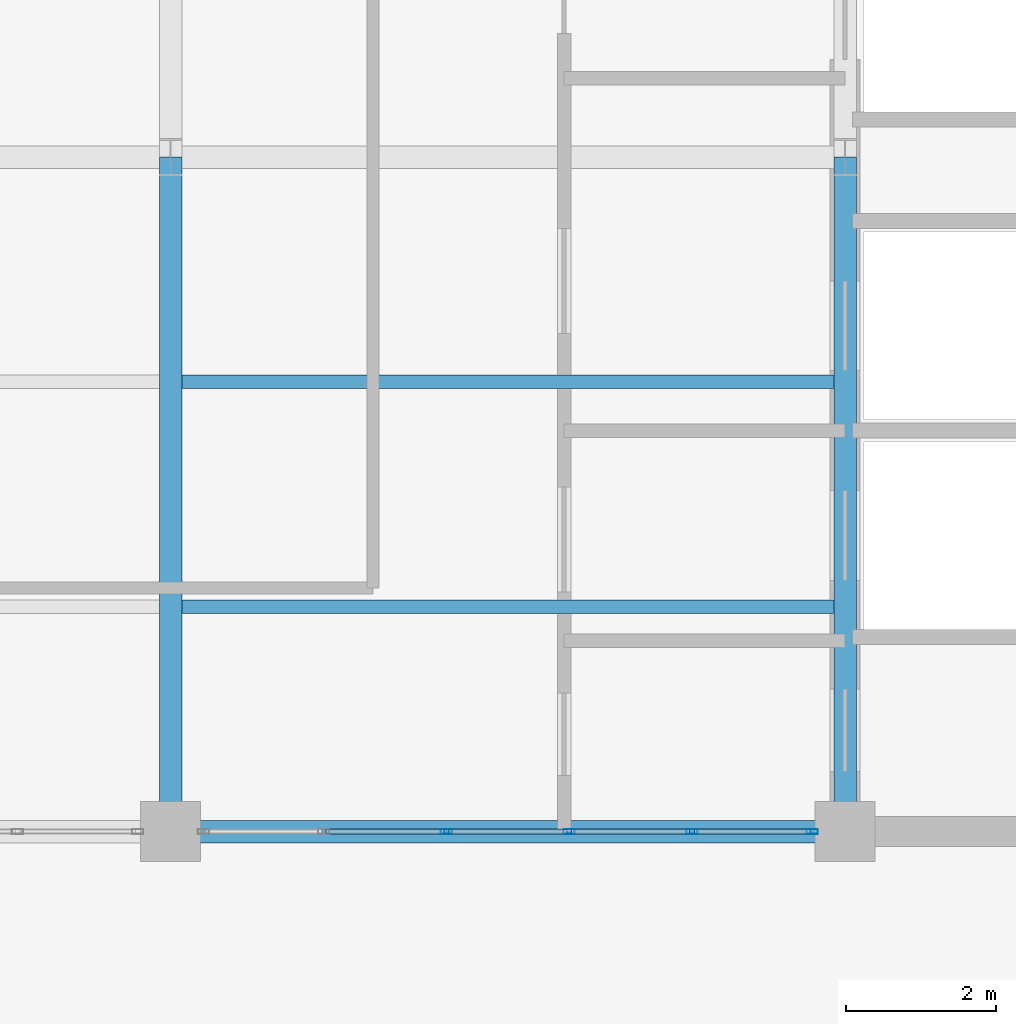
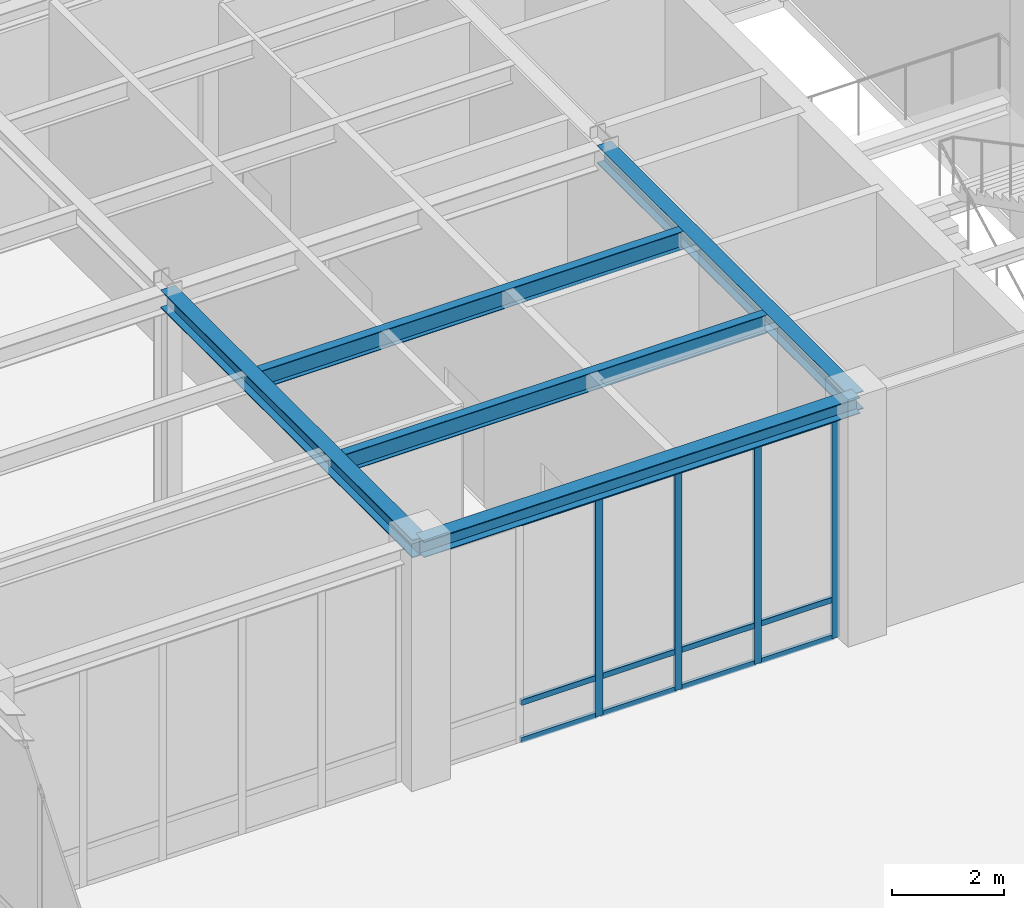
# One storey, part 50 of 77: 16 members, 5 beams, 1 element without a shape of its own.
"""IFC4 building model written with IfcOpenShell, lengths in metres."""

from ifc_helpers import new_model, si_unit, direction, frame, origin, origin_2d, place, context, subcontext, project, spatial, hollow_rectangle, i_section, extrude, material, material_profile, profile_set, type_object, element, aggregate, save


model = new_model("IFC4")

# Units and contexts
model_context = context("Model", 3, precision=1e-05, world=origin(), true_north=direction((0.0, 1.0)))
body_context = subcontext(model_context, "Body", "Model", "MODEL_VIEW")
ifc_project = project(units=[si_unit("LENGTHUNIT", "METRE"), si_unit("AREAUNIT", "SQUARE_METRE"), si_unit("VOLUMEUNIT", "CUBIC_METRE"), si_unit("PLANEANGLEUNIT", "RADIAN"), si_unit("MASSUNIT", "GRAM", prefix="KILO")], contexts=[model_context])

# Site, building, storey
site_placement = place(None, origin())
site = spatial("IfcSite", under=ifc_project, at=site_placement, CompositionType="ELEMENT")
building_placement = place(site_placement, origin())
building = spatial("IfcBuilding", under=site, at=building_placement, Name="Lykobir Media Centre", CompositionType="ELEMENT")
storey_placement = place(building_placement, origin())
storey = spatial("IfcBuildingStorey", under=building, at=storey_placement, Name="L00", CompositionType="ELEMENT", Elevation=0.0)

# Beams
ifc_material_1 = material(Name="Steel S355", Category="steel")
ifc_material_profile_1 = material_profile(ifc_material_1, i_section(OverallWidth=0.300048828125, OverallDepth=0.389892578125, WebThickness=0.010986328125, FlangeThickness=0.01904296875, at=origin_2d()), Name="HEA 400")
ifc_profile_set_1 = profile_set([ifc_material_profile_1], Name="Steel S355")
beam_type_1 = type_object("IfcBeamType", Name="BM-HEA400", PredefinedType="BEAM", material=ifc_profile_set_1)
for number, where, z_axis, x_axis, name in (
    (1, (117.0, 72.0, 4.965087890625), (0.0, 1.0, 0.0), (-1.0, 0.0, 0.0), "Beam BM-L00-1170-0720-1170-0810-496"),
    (2, (126.0, 72.0, 4.965087890625), (0.0, 1.0, 0.0), (-1.0, 0.0, 0.0), "Beam BM-L00-1260-0720-1260-0810-496"),
):
    element("IfcBeam", number, at=place(storey_placement, frame(where, z_axis=z_axis, x_axis=x_axis)), inside=storey, type_object=beam_type_1, Name=name, PredefinedType="BEAM", context=body_context, shape_type="SweptSolid", body=[
        extrude(i_section(OverallWidth=0.300048828125, OverallDepth=0.389892578125, WebThickness=0.010986328125, FlangeThickness=0.01904296875, at=origin_2d()), origin(), (0.0, 0.0, 1.0), 9.0),
    ])

# Curtain wall, members
ifc_material_2 = material(Name="Anodized Aluminium AW-6060", Category="aluminium")
curtain_wall_type = type_object("IfcCurtainWallType", Name="CW-COURT-A", PredefinedType="NOTDEFINED", material=ifc_material_2)
curtain_wall_placement = place(storey_placement, origin())
curtain_wall = element("IfcCurtainWall", 3, at=curtain_wall_placement, inside=storey, type_object=curtain_wall_type, Name="Curtain wall CW2-L00-0009", PredefinedType="NOTDEFINED")
ifc_material_profile_2 = material_profile(ifc_material_2, hollow_rectangle(XDim=0.06494140625, YDim=0.14990234375, WallThickness=0.00341796875, at=origin_2d()), Name="ALU MULLION 65x150")
ifc_profile_set_2 = profile_set([ifc_material_profile_2], Name="Anodized Aluminium AW-6060")
member_type_1 = type_object("IfcMemberType", Name="CWM-150", PredefinedType="MULLION", material=ifc_profile_set_2)
member_1_placement = place(storey_placement, frame((125.5625, 72.0, 0.0), z_axis=(0.0, 0.0, 1.0), x_axis=(0.0, -1.0, 0.0)))
member_1 = element("IfcMember", 4, at=member_1_placement, type_object=member_type_1, Name="CW2-L00-0009 mullion 1", PredefinedType="MULLION", context=body_context, shape_type="SweptSolid", body=[
    extrude(hollow_rectangle(XDim=0.06494140625, YDim=0.14990234375, WallThickness=0.00341796875, at=origin_2d()), origin(), (0.0, 0.0, 1.0), 4.794921875),
])
member_2_placement = place(storey_placement, frame((123.95703125, 72.0, 0.0), z_axis=(0.0, 0.0, 1.0), x_axis=(0.0, -1.0, 0.0)))
member_2 = element("IfcMember", 5, at=member_2_placement, type_object=member_type_1, Name="CW2-L00-0009 mullion 2", PredefinedType="MULLION", context=body_context, shape_type="SweptSolid", body=[
    extrude(hollow_rectangle(XDim=0.06494140625, YDim=0.14990234375, WallThickness=0.00341796875, at=origin_2d()), origin(), (0.0, 0.0, 1.0), 4.794921875),
])
member_3_placement = place(storey_placement, frame((122.319091796875, 72.0, 0.0), z_axis=(0.0, 0.0, 1.0), x_axis=(0.0, -1.0, 0.0)))
member_3 = element("IfcMember", 6, at=member_3_placement, type_object=member_type_1, Name="CW2-L00-0009 mullion 3", PredefinedType="MULLION", context=body_context, shape_type="SweptSolid", body=[
    extrude(hollow_rectangle(XDim=0.06494140625, YDim=0.14990234375, WallThickness=0.00341796875, at=origin_2d()), origin(), (0.0, 0.0, 1.0), 4.794921875),
])
member_4_placement = place(storey_placement, frame((120.680908203125, 72.0, 0.0), z_axis=(0.0, 0.0, 1.0), x_axis=(0.0, -1.0, 0.0)))
member_4 = element("IfcMember", 7, at=member_4_placement, type_object=member_type_1, Name="CW2-L00-0009 mullion 4", PredefinedType="MULLION", context=body_context, shape_type="SweptSolid", body=[
    extrude(hollow_rectangle(XDim=0.06494140625, YDim=0.14990234375, WallThickness=0.00341796875, at=origin_2d()), origin(), (0.0, 0.0, 1.0), 4.794921875),
])
ifc_material_profile_3 = material_profile(ifc_material_2, hollow_rectangle(XDim=0.06494140625, YDim=0.1201171875, WallThickness=0.0029296875, at=origin_2d()), Name="ALU TRANSOM 65x120")
ifc_profile_set_3 = profile_set([ifc_material_profile_3], Name="Anodized Aluminium AW-6060")
member_type_2 = type_object("IfcMemberType", Name="CWT-120", PredefinedType="USERDEFINED", material=ifc_profile_set_3)
member_5_placement = place(storey_placement, frame((125.530029296875, 72.0, 0.032470703125), z_axis=(-1.0, 0.0, 0.0), x_axis=(0.0, -1.0, 0.0)))
member_5 = element("IfcMember", 8, at=member_5_placement, type_object=member_type_2, Name="CW2-L00-0009 transom 1.1", ObjectType="TRANSOM", PredefinedType="USERDEFINED", context=body_context, shape_type="SweptSolid", body=[
    extrude(hollow_rectangle(XDim=0.06494140625, YDim=0.1201171875, WallThickness=0.0029296875, at=origin_2d()), origin(), (0.0, 0.0, 1.0), 1.54052734375),
])
member_6_placement = place(storey_placement, frame((125.530029296875, 72.0, 0.85009765625), z_axis=(-1.0, 0.0, 0.0), x_axis=(0.0, -1.0, 0.0)))
member_6 = element("IfcMember", 9, at=member_6_placement, type_object=member_type_2, Name="CW2-L00-0009 transom 1.2", ObjectType="TRANSOM", PredefinedType="USERDEFINED", context=body_context, shape_type="SweptSolid", body=[
    extrude(hollow_rectangle(XDim=0.06494140625, YDim=0.1201171875, WallThickness=0.0029296875, at=origin_2d()), origin(), (0.0, 0.0, 1.0), 1.54052734375),
])
member_7_placement = place(storey_placement, frame((125.530029296875, 72.0, 4.762451171875), z_axis=(-1.0, 0.0, 0.0), x_axis=(0.0, -1.0, 0.0)))
member_7 = element("IfcMember", 10, at=member_7_placement, type_object=member_type_2, Name="CW2-L00-0009 transom 1.3", ObjectType="TRANSOM", PredefinedType="USERDEFINED", context=body_context, shape_type="SweptSolid", body=[
    extrude(hollow_rectangle(XDim=0.06494140625, YDim=0.1201171875, WallThickness=0.0029296875, at=origin_2d()), origin(), (0.0, 0.0, 1.0), 1.54052734375),
])
member_8_placement = place(storey_placement, frame((123.924560546875, 72.0, 0.032470703125), z_axis=(-1.0, 0.0, 0.0), x_axis=(0.0, -1.0, 0.0)))
member_8 = element("IfcMember", 11, at=member_8_placement, type_object=member_type_2, Name="CW2-L00-0009 transom 2.1", ObjectType="TRANSOM", PredefinedType="USERDEFINED", context=body_context, shape_type="SweptSolid", body=[
    extrude(hollow_rectangle(XDim=0.06494140625, YDim=0.1201171875, WallThickness=0.0029296875, at=origin_2d()), origin(), (0.0, 0.0, 1.0), 1.572998046875),
])
member_9_placement = place(storey_placement, frame((123.924560546875, 72.0, 0.85009765625), z_axis=(-1.0, 0.0, 0.0), x_axis=(0.0, -1.0, 0.0)))
member_9 = element("IfcMember", 12, at=member_9_placement, type_object=member_type_2, Name="CW2-L00-0009 transom 2.2", ObjectType="TRANSOM", PredefinedType="USERDEFINED", context=body_context, shape_type="SweptSolid", body=[
    extrude(hollow_rectangle(XDim=0.06494140625, YDim=0.1201171875, WallThickness=0.0029296875, at=origin_2d()), origin(), (0.0, 0.0, 1.0), 1.572998046875),
])
member_10_placement = place(storey_placement, frame((123.924560546875, 72.0, 4.762451171875), z_axis=(-1.0, 0.0, 0.0), x_axis=(0.0, -1.0, 0.0)))
member_10 = element("IfcMember", 13, at=member_10_placement, type_object=member_type_2, Name="CW2-L00-0009 transom 2.3", ObjectType="TRANSOM", PredefinedType="USERDEFINED", context=body_context, shape_type="SweptSolid", body=[
    extrude(hollow_rectangle(XDim=0.06494140625, YDim=0.1201171875, WallThickness=0.0029296875, at=origin_2d()), origin(), (0.0, 0.0, 1.0), 1.572998046875),
])
member_11_placement = place(storey_placement, frame((122.28662109375, 72.0, 0.032470703125), z_axis=(-1.0, 0.0, 0.0), x_axis=(0.0, -1.0, 0.0)))
member_11 = element("IfcMember", 14, at=member_11_placement, type_object=member_type_2, Name="CW2-L00-0009 transom 3.1", ObjectType="TRANSOM", PredefinedType="USERDEFINED", context=body_context, shape_type="SweptSolid", body=[
    extrude(hollow_rectangle(XDim=0.06494140625, YDim=0.1201171875, WallThickness=0.0029296875, at=origin_2d()), origin(), (0.0, 0.0, 1.0), 1.5732421875),
])
member_12_placement = place(storey_placement, frame((122.28662109375, 72.0, 0.85009765625), z_axis=(-1.0, 0.0, 0.0), x_axis=(0.0, -1.0, 0.0)))
member_12 = element("IfcMember", 15, at=member_12_placement, type_object=member_type_2, Name="CW2-L00-0009 transom 3.2", ObjectType="TRANSOM", PredefinedType="USERDEFINED", context=body_context, shape_type="SweptSolid", body=[
    extrude(hollow_rectangle(XDim=0.06494140625, YDim=0.1201171875, WallThickness=0.0029296875, at=origin_2d()), origin(), (0.0, 0.0, 1.0), 1.5732421875),
])
member_13_placement = place(storey_placement, frame((122.28662109375, 72.0, 4.762451171875), z_axis=(-1.0, 0.0, 0.0), x_axis=(0.0, -1.0, 0.0)))
member_13 = element("IfcMember", 16, at=member_13_placement, type_object=member_type_2, Name="CW2-L00-0009 transom 3.3", ObjectType="TRANSOM", PredefinedType="USERDEFINED", context=body_context, shape_type="SweptSolid", body=[
    extrude(hollow_rectangle(XDim=0.06494140625, YDim=0.1201171875, WallThickness=0.0029296875, at=origin_2d()), origin(), (0.0, 0.0, 1.0), 1.5732421875),
])
member_14_placement = place(storey_placement, frame((120.6484375, 72.0, 0.032470703125), z_axis=(-1.0, 0.0, 0.0), x_axis=(0.0, -1.0, 0.0)))
member_14 = element("IfcMember", 17, at=member_14_placement, type_object=member_type_2, Name="CW2-L00-0009 transom 4.1", ObjectType="TRANSOM", PredefinedType="USERDEFINED", context=body_context, shape_type="SweptSolid", body=[
    extrude(hollow_rectangle(XDim=0.06494140625, YDim=0.1201171875, WallThickness=0.0029296875, at=origin_2d()), origin(), (0.0, 0.0, 1.0), 1.572998046875),
])
member_15_placement = place(storey_placement, frame((120.6484375, 72.0, 0.85009765625), z_axis=(-1.0, 0.0, 0.0), x_axis=(0.0, -1.0, 0.0)))
member_15 = element("IfcMember", 18, at=member_15_placement, type_object=member_type_2, Name="CW2-L00-0009 transom 4.2", ObjectType="TRANSOM", PredefinedType="USERDEFINED", context=body_context, shape_type="SweptSolid", body=[
    extrude(hollow_rectangle(XDim=0.06494140625, YDim=0.1201171875, WallThickness=0.0029296875, at=origin_2d()), origin(), (0.0, 0.0, 1.0), 1.572998046875),
])
member_16_placement = place(storey_placement, frame((120.6484375, 72.0, 4.762451171875), z_axis=(-1.0, 0.0, 0.0), x_axis=(0.0, -1.0, 0.0)))
member_16 = element("IfcMember", 19, at=member_16_placement, type_object=member_type_2, Name="CW2-L00-0009 transom 4.3", ObjectType="TRANSOM", PredefinedType="USERDEFINED", context=body_context, shape_type="SweptSolid", body=[
    extrude(hollow_rectangle(XDim=0.06494140625, YDim=0.1201171875, WallThickness=0.0029296875, at=origin_2d()), origin(), (0.0, 0.0, 1.0), 1.572998046875),
])
aggregate(curtain_wall, [member_1, member_2, member_3, member_4, member_5, member_6, member_7, member_8, member_9, member_10, member_11, member_12, member_13, member_14, member_15, member_16])

# Beams
ifc_material_profile_4 = material_profile(ifc_material_1, i_section(OverallWidth=0.179931640625, OverallDepth=0.39990234375, WebThickness=0.008544921875, FlangeThickness=0.013427734375, at=origin_2d()), Name="IPE 400")
ifc_profile_set_4 = profile_set([ifc_material_profile_4], Name="Steel S355")
beam_type_2 = type_object("IfcBeamType", Name="JS-IPE400", PredefinedType="JOIST", material=ifc_profile_set_4)
for number, where, z_axis, x_axis, name in (
    (20, (117.14990234375, 75.0, 4.9599609375), (1.0, 0.0, 0.0), (0.0, 1.0, 0.0), "Beam BM-L00-1172-0750-1258-0750-496"),
    (21, (117.14990234375, 78.0, 4.9599609375), (1.0, 0.0, 0.0), (0.0, 1.0, 0.0), "Beam BM-L00-1172-0780-1258-0780-496"),
):
    element("IfcBeam", number, at=place(storey_placement, frame(where, z_axis=z_axis, x_axis=x_axis)), inside=storey, type_object=beam_type_2, Name=name, PredefinedType="JOIST", context=body_context, shape_type="SweptSolid", body=[
        extrude(i_section(OverallWidth=0.179931640625, OverallDepth=0.39990234375, WebThickness=0.008544921875, FlangeThickness=0.013427734375, at=origin_2d()), origin(), (0.0, 0.0, 1.0), 8.7001953125),
    ])
ifc_material_profile_5 = material_profile(ifc_material_1, i_section(OverallWidth=0.300048828125, OverallDepth=0.35009765625, WebThickness=0.010009765625, FlangeThickness=0.017578125, at=origin_2d()), Name="HEA 360")
ifc_profile_set_5 = profile_set([ifc_material_profile_5], Name="Steel S355")
beam_type_3 = type_object("IfcBeamType", Name="SP-HEA360", PredefinedType="SPANDREL", material=ifc_profile_set_5)
beam_placement = place(storey_placement, frame((117.0, 72.0, 4.985107421875), z_axis=(1.0, 0.0, 0.0), x_axis=(0.0, 1.0, 0.0)))
element("IfcBeam", 22, at=beam_placement, inside=storey, type_object=beam_type_3, Name="Beam BM-L00-1170-0720-1260-0720-499", PredefinedType="SPANDREL", context=body_context, shape_type="SweptSolid", body=[
    extrude(i_section(OverallWidth=0.300048828125, OverallDepth=0.35009765625, WebThickness=0.010009765625, FlangeThickness=0.017578125, at=origin_2d()), origin(), (0.0, 0.0, 1.0), 9.0),
])

save(model, "model.ifc")
